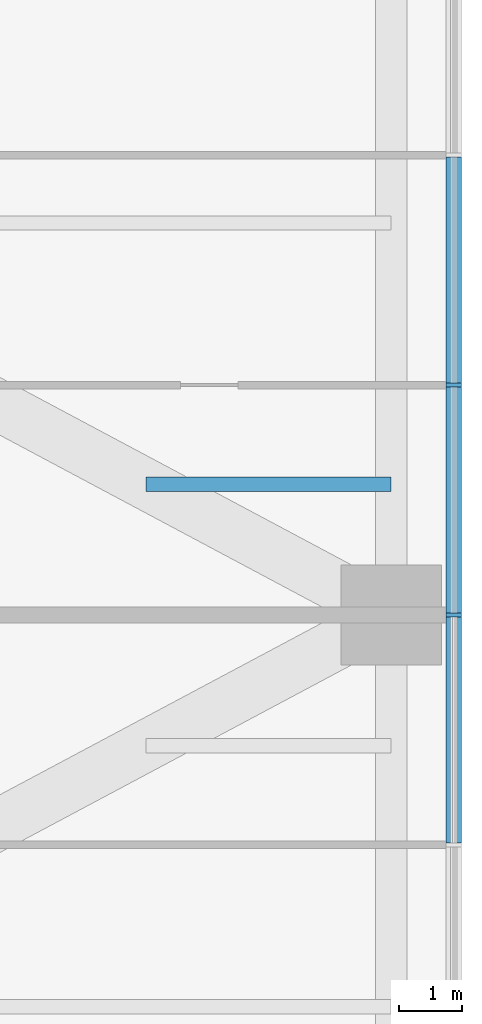
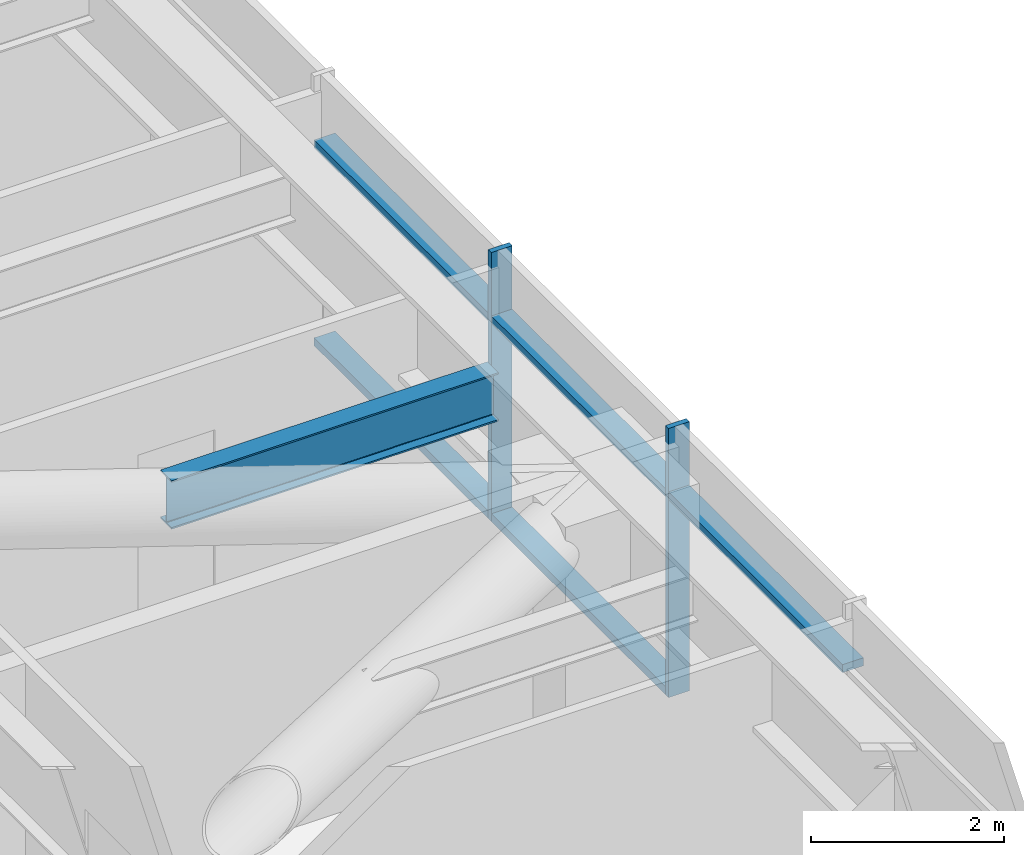
# One storey, part 5 of 17: 7 members, 1 beam, 1 element without a shape of its own.
"""IFC4 building model written with IfcOpenShell, lengths in metres."""

from ifc_helpers import new_model, si_unit, direction, frame, origin, origin_2d, place, context, subcontext, project, spatial, rectangle, i_section, extrude, material, material_profile, profile_set, type_object, element, aggregate, save


model = new_model("IFC4")

# Units and contexts
model_context = context("Model", 3, precision=1e-05, world=origin(), true_north=direction((0.0, 1.0)))
body_context = subcontext(model_context, "Body", "Model", "MODEL_VIEW")
ifc_project = project(units=[si_unit("LENGTHUNIT", "METRE"), si_unit("AREAUNIT", "SQUARE_METRE"), si_unit("VOLUMEUNIT", "CUBIC_METRE"), si_unit("PLANEANGLEUNIT", "RADIAN"), si_unit("MASSUNIT", "GRAM", prefix="KILO")], contexts=[model_context])

# Site, building, storey
site_placement = place(None, origin())
site = spatial("IfcSite", under=ifc_project, at=site_placement, CompositionType="ELEMENT")
building_placement = place(site_placement, origin())
building = spatial("IfcBuilding", under=site, at=building_placement, Name="Torsade Residences", CompositionType="ELEMENT")
storey_placement = place(building_placement, frame((0.0, 0.0, 38.800048828125)))
storey = spatial("IfcBuildingStorey", under=building, at=storey_placement, Name="L10", CompositionType="ELEMENT", Elevation=38.800048828125)

# Curtain wall, members
ifc_material_1 = material(Name="Aluminium and glass", Category="aluminium")
curtain_wall_type = type_object("IfcCurtainWallType", Name="FRITTED GLASS CURTAIN WALL LOW ZONE", PredefinedType="NOTDEFINED", material=ifc_material_1)
curtain_wall_placement = place(storey_placement, origin())
curtain_wall = element("IfcCurtainWall", 1, at=curtain_wall_placement, inside=storey, type_object=curtain_wall_type, Name="Curtain wall L10 face 4", PredefinedType="NOTDEFINED")
ifc_material_2 = material(Name="Aluminium mullion", Category="aluminium")
ifc_material_profile_1 = material_profile(ifc_material_2, rectangle(XDim=0.25, YDim=0.06494140625, at=origin_2d()), Name="CURTAIN WALL MULLION 250x65")
ifc_profile_set_1 = profile_set([ifc_material_profile_1], Name="Aluminium mullion")
member_type_1 = type_object("IfcMemberType", Name="CURTAIN WALL MULLION 250x65", PredefinedType="MULLION", material=ifc_profile_set_1)
member_1_placement = place(storey_placement, frame((66.0, 30.0, 0.0), z_axis=(0.0, 0.0, 1.0), x_axis=(-1.0, 0.0, 0.0)))
member_1 = element("IfcMember", 2, at=member_1_placement, type_object=member_type_1, Name="Mullion 7", PredefinedType="MULLION", context=body_context, shape_type="SweptSolid", body=[
    extrude(rectangle(XDim=0.25, YDim=0.06494140625, at=origin_2d()), origin(), (0.0, 0.0, 1.0), 3.39990234375),
])
member_2_placement = place(storey_placement, frame((66.0, 33.666748046875, 0.0), z_axis=(0.0, 0.0, 1.0), x_axis=(-1.0, 0.0, 0.0)))
member_2 = element("IfcMember", 3, at=member_2_placement, type_object=member_type_1, Name="Mullion 8", PredefinedType="MULLION", context=body_context, shape_type="SweptSolid", body=[
    extrude(rectangle(XDim=0.25, YDim=0.06494140625, at=origin_2d()), origin(), (0.0, 0.0, 1.0), 3.39990234375),
])
ifc_material_3 = material(Name="Aluminium transom", Category="aluminium")
ifc_material_profile_2 = material_profile(ifc_material_3, rectangle(XDim=0.25, YDim=0.10009765625, at=origin_2d()), Name="CURTAIN WALL TRANSOM 250x100")
ifc_profile_set_2 = profile_set([ifc_material_profile_2], Name="Aluminium transom")
member_type_2 = type_object("IfcMemberType", Name="CURTAIN WALL TRANSOM 250x100", PredefinedType="USERDEFINED", material=ifc_profile_set_2)
member_3_placement = place(storey_placement, frame((66.0, 26.36572265625, 2.550048828125), z_axis=(0.0, 1.0, 0.0), x_axis=(-1.0, 0.0, 0.0)))
member_3 = element("IfcMember", 4, at=member_3_placement, type_object=member_type_2, Name="Transom 6.2", ObjectType="TRANSOM", PredefinedType="USERDEFINED", context=body_context, shape_type="SweptSolid", body=[
    extrude(rectangle(XDim=0.25, YDim=0.10009765625, at=origin_2d()), origin(), (0.0, 0.0, 1.0), 3.601806640625),
])
member_4_placement = place(storey_placement, frame((66.0, 30.032470703125, 0.050048828125), z_axis=(0.0, 1.0, 0.0), x_axis=(-1.0, 0.0, 0.0)))
member_4 = element("IfcMember", 5, at=member_4_placement, type_object=member_type_2, Name="Transom 7.1", ObjectType="TRANSOM", PredefinedType="USERDEFINED", context=body_context, shape_type="SweptSolid", body=[
    extrude(rectangle(XDim=0.25, YDim=0.10009765625, at=origin_2d()), origin(), (0.0, 0.0, 1.0), 3.601806640625),
])
member_5_placement = place(storey_placement, frame((66.0, 30.032470703125, 2.550048828125), z_axis=(0.0, 1.0, 0.0), x_axis=(-1.0, 0.0, 0.0)))
member_5 = element("IfcMember", 6, at=member_5_placement, type_object=member_type_2, Name="Transom 7.2", ObjectType="TRANSOM", PredefinedType="USERDEFINED", context=body_context, shape_type="SweptSolid", body=[
    extrude(rectangle(XDim=0.25, YDim=0.10009765625, at=origin_2d()), origin(), (0.0, 0.0, 1.0), 3.601806640625),
])
member_6_placement = place(storey_placement, frame((66.0, 33.69921875, 0.050048828125), z_axis=(0.0, 1.0, 0.0), x_axis=(-1.0, 0.0, 0.0)))
member_6 = element("IfcMember", 7, at=member_6_placement, type_object=member_type_2, Name="Transom 8.1", ObjectType="TRANSOM", PredefinedType="USERDEFINED", context=body_context, shape_type="SweptSolid", body=[
    extrude(rectangle(XDim=0.25, YDim=0.10009765625, at=origin_2d()), origin(), (0.0, 0.0, 1.0), 3.6015625),
])
member_7_placement = place(storey_placement, frame((66.0, 33.69921875, 2.550048828125), z_axis=(0.0, 1.0, 0.0), x_axis=(-1.0, 0.0, 0.0)))
member_7 = element("IfcMember", 8, at=member_7_placement, type_object=member_type_2, Name="Transom 8.2", ObjectType="TRANSOM", PredefinedType="USERDEFINED", context=body_context, shape_type="SweptSolid", body=[
    extrude(rectangle(XDim=0.25, YDim=0.10009765625, at=origin_2d()), origin(), (0.0, 0.0, 1.0), 3.6015625),
])
aggregate(curtain_wall, [member_1, member_2, member_3, member_4, member_5, member_6, member_7])

# Beam
ifc_material_4 = material(Name="Steel grade 300", Category="steel")
ifc_material_profile_3 = material_profile(ifc_material_4, i_section(OverallWidth=0.22900390625, OverallDepth=0.612060546875, WebThickness=0.011962890625, FlangeThickness=0.01953125, FilletRadius=0.013916015625, at=origin_2d()), Name="610UB125")
ifc_profile_set_3 = profile_set([ifc_material_profile_3], Name="Steel grade 300")
beam_type = type_object("IfcBeamType", Name="SECONDARY BEAM 610UB125", PredefinedType="JOIST", material=ifc_profile_set_3)
beam_placement = place(storey_placement, frame((65.0, 32.083251953125, 2.89404296875), z_axis=(-1.0, 0.0, 0.0), x_axis=(0.0, -1.0, 0.0)))
element("IfcBeam", 9, at=beam_placement, inside=storey, type_object=beam_type, Name="Floor beam FE07 L11", PredefinedType="JOIST", context=body_context, shape_type="SweptSolid", body=[
    extrude(i_section(OverallWidth=0.22900390625, OverallDepth=0.612060546875, WebThickness=0.011962890625, FlangeThickness=0.01953125, FilletRadius=0.013916015625, at=origin_2d()), origin(), (0.0, 0.0, 1.0), 3.90625),
])

save(model, "model.ifc")
